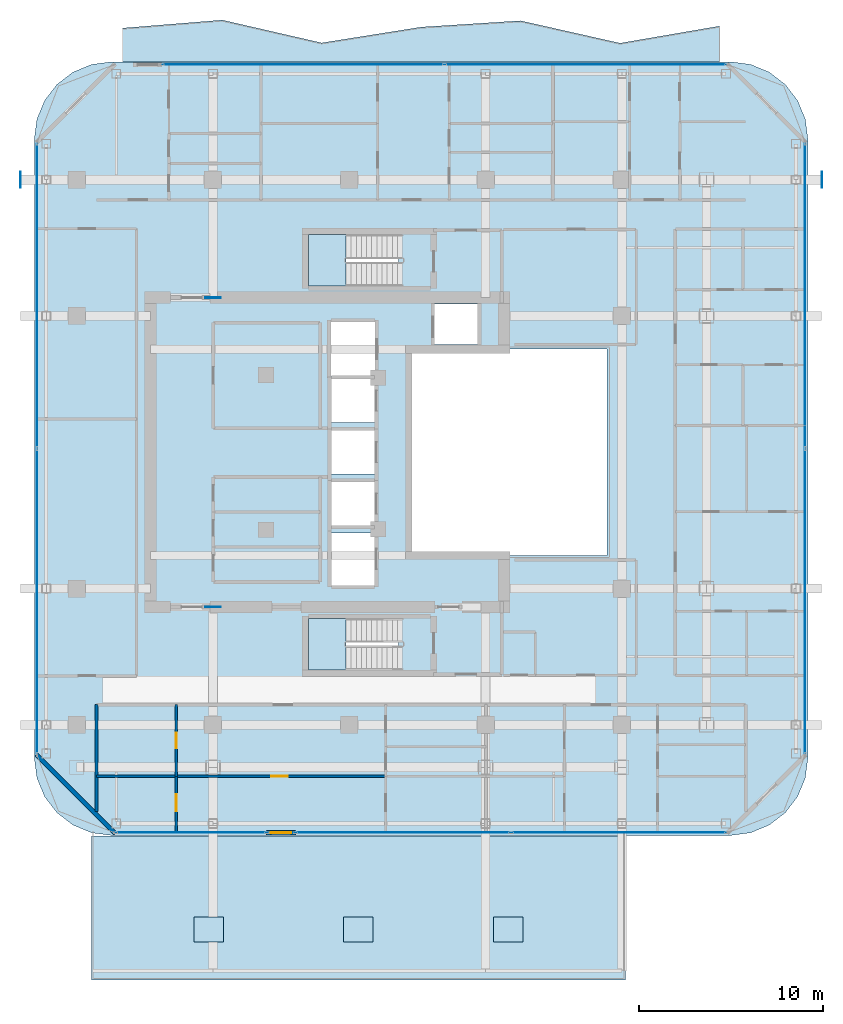
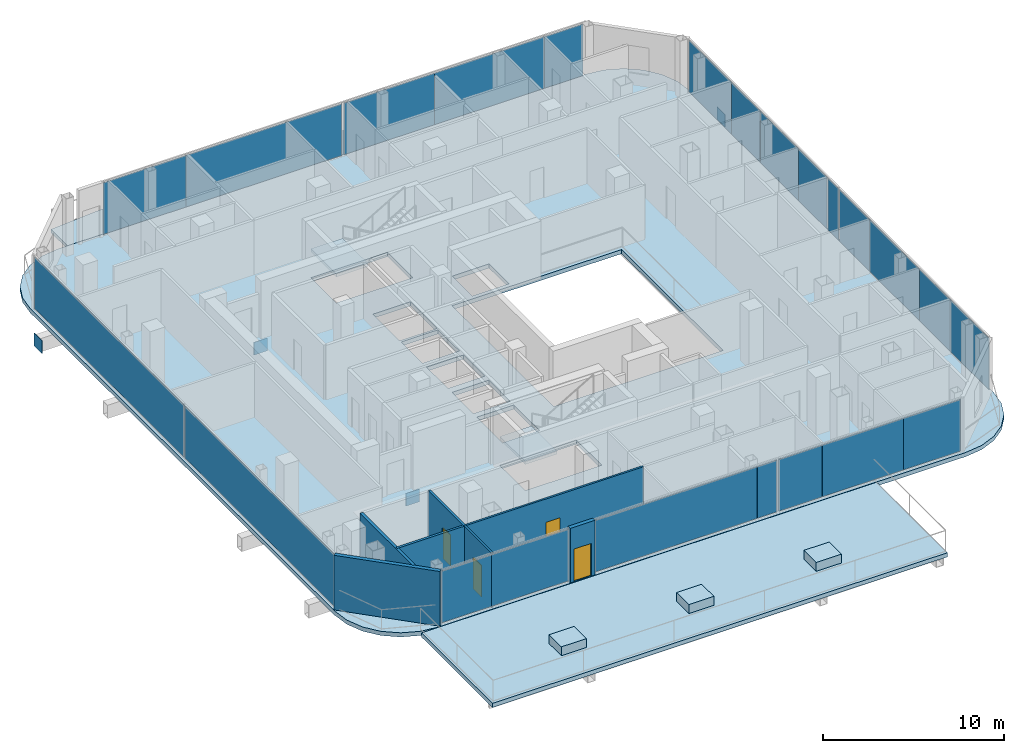
# One storey, part 17 of 25: 27 plates, 8 slabs, 7 walls, 4 doors, 4 openings, 7 elements without a shape of their own.
"""IFC4 building model written with IfcOpenShell, lengths in metres."""

from ifc_helpers import new_model, si_unit, direction, frame, frame_2d, origin, origin_2d, place, context, subcontext, project, spatial, polyline, rectangle, outline, extrude, material, layer, layer_set, type_object, element, fill, aggregate, save


model = new_model("IFC4")

# Units and contexts
model_context = context("Model", 3, precision=1e-05, world=origin(), true_north=direction((0.0, 1.0)))
body_context = subcontext(model_context, "Body", "Model", "MODEL_VIEW")
ifc_project = project(units=[si_unit("LENGTHUNIT", "METRE"), si_unit("AREAUNIT", "SQUARE_METRE"), si_unit("VOLUMEUNIT", "CUBIC_METRE"), si_unit("PLANEANGLEUNIT", "RADIAN"), si_unit("MASSUNIT", "GRAM", prefix="KILO")], contexts=[model_context])

# Site, building, storey
site_placement = place(None, origin())
site = spatial("IfcSite", under=ifc_project, at=site_placement, CompositionType="ELEMENT")
building_placement = place(site_placement, origin())
building = spatial("IfcBuilding", under=site, at=building_placement, Name="Khorvyn Point Tower", CompositionType="ELEMENT")
storey_placement = place(building_placement, frame((0.0, 0.0, 254.699951171875)))
storey = spatial("IfcBuildingStorey", under=building, at=storey_placement, Name="L62", CompositionType="ELEMENT", Elevation=254.699951171875)

# Slabs
ifc_material_1 = material(Name="Concrete C35/45", Category="concrete")
ifc_layer_1 = layer(ifc_material_1, 0.239990234375)
ifc_layer_set_1 = layer_set([ifc_layer_1], Name="Concrete C35/45 Setback Terrace Roof Slab 240")
slab_type_1 = type_object("IfcSlabType", Name="Concrete C35/45 Setback Terrace Roof Slab 240", PredefinedType="ROOF", material=ifc_layer_set_1)
slab_1_placement = place(storey_placement, frame((0.0, 0.0, -0.280029296875)))
element("IfcSlab", 1, at=slab_1_placement, inside=storey, type_object=slab_type_1, Name="L62 South Jenga Setback Sky-Garden Terrace", PredefinedType="ROOF", context=body_context, shape_type="SweptSolid", body=[
    extrude(outline(polyline([(-14.0, -28.64990234375), (15.0, -28.64990234375), (15.0, -20.820068359375), (-14.0, -20.820068359375), (-14.0, -28.64990234375)])), origin(), (0.0, 0.0, 1.0), 0.280029296875),
])
ifc_layer_2 = layer(ifc_material_1, 0.60009765625)
ifc_layer_set_2 = layer_set([ifc_layer_2], Name="Concrete C35/45 Terrace Tree Planter 600")
slab_type_2 = type_object("IfcSlabType", Name="Concrete C35/45 Terrace Tree Planter 600", PredefinedType="USERDEFINED", material=ifc_layer_set_2)
slab_2_placement = place(storey_placement, origin())
element("IfcSlab", 2, at=slab_2_placement, inside=storey, type_object=slab_type_2, Name="L62 Sky-Terrace Structural Tree Planter 1", ObjectType="PLANTER", PredefinedType="USERDEFINED", context=body_context, shape_type="SweptSolid", body=[
    extrude(outline(polyline([(-8.419921875, -26.58447265625), (-6.820068359375, -26.58447265625), (-6.820068359375, -25.234619140625), (-8.419921875, -25.234619140625), (-8.419921875, -26.58447265625)])), origin(), (0.0, 0.0, 1.0), 0.60009765625),
])
slab_3_placement = place(storey_placement, origin())
element("IfcSlab", 3, at=slab_3_placement, inside=storey, type_object=slab_type_2, Name="L62 Sky-Terrace Structural Tree Planter 2", ObjectType="PLANTER", PredefinedType="USERDEFINED", context=body_context, shape_type="SweptSolid", body=[
    extrude(outline(polyline([(-0.300048828125, -26.58447265625), (1.300048828125, -26.58447265625), (1.300048828125, -25.234619140625), (-0.300048828125, -25.234619140625), (-0.300048828125, -26.58447265625)])), origin(), (0.0, 0.0, 1.0), 0.60009765625),
])
slab_4_placement = place(storey_placement, origin())
element("IfcSlab", 4, at=slab_4_placement, inside=storey, type_object=slab_type_2, Name="L62 Sky-Terrace Structural Tree Planter 3", ObjectType="PLANTER", PredefinedType="USERDEFINED", context=body_context, shape_type="SweptSolid", body=[
    extrude(outline(polyline([(7.820068359375, -26.58447265625), (9.419921875, -26.58447265625), (9.419921875, -25.234619140625), (7.820068359375, -25.234619140625), (7.820068359375, -26.58447265625)])), origin(), (0.0, 0.0, 1.0), 0.60009765625),
])
ifc_material_2 = material(Name="Concrete C40/50", Category="concrete")
ifc_layer_3 = layer(ifc_material_2, 0.2099609375)
ifc_layer_set_3 = layer_set([ifc_layer_3], Name="Concrete C40/50 Rippling Balcony Slab 210")
slab_type_3 = type_object("IfcSlabType", Name="Concrete C40/50 Rippling Balcony Slab 210", PredefinedType="USERDEFINED", material=ifc_layer_set_3)
slab_5_placement = place(storey_placement, frame((0.0, 0.0, -0.2099609375)))
element("IfcSlab", 5, at=slab_5_placement, inside=storey, type_object=slab_type_3, Name="L62 North Sinusoidal Rippling Balcony", ObjectType="BALCONY", PredefinedType="USERDEFINED", context=body_context, shape_type="SweptSolid", body=[
    extrude(outline(polyline([(20.10009765625, 21.199951171875), (20.10009765625, 23.1416015625), (14.699951171875, 22.21240234375), (9.300048828125, 23.43017578125), (3.89990234375, 23.086669921875), (-1.5, 22.22802734375), (-6.89990234375, 23.46875), (-12.300048828125, 23.031005859375), (-12.300048828125, 21.199951171875), (20.10009765625, 21.199951171875)])), origin(), (0.0, 0.0, 1.0), 0.2099609375),
])

# Stair, slab
stair_type = type_object("IfcStairType", Name="Tower Concrete C40/50 Dogleg Exit Stair", PredefinedType="HALF_TURN_STAIR", material=ifc_material_2)
stair_1_placement = place(storey_placement, origin())
stair_1 = element("IfcStair", 6, at=stair_1_placement, inside=storey, type_object=stair_type, Name="L62 Tower Smokeproof Exit Stair South", PredefinedType="HALF_TURN_STAIR")
ifc_layer_4 = layer(ifc_material_2, 0.199951171875)
ifc_layer_set_4 = layer_set([ifc_layer_4], Name="Concrete C40/50 Stair Landing Slab 200")
slab_type_4 = type_object("IfcSlabType", Name="Concrete C40/50 Stair Landing Slab 200", PredefinedType="LANDING", material=ifc_layer_set_4)
slab_6_placement = place(storey_placement, frame((0.0, 0.0, 1.75)))
slab_6 = element("IfcSlab", 7, at=slab_6_placement, type_object=slab_type_4, Name="ST-01 landing 1", PredefinedType="LANDING", context=body_context, shape_type="SweptSolid", body=[
    extrude(outline(polyline([(-0.179931640625, -9.02001953125), (-2.199951171875, -9.02001953125), (-2.199951171875, -11.820068359375), (-0.179931640625, -11.820068359375), (-0.179931640625, -9.02001953125)])), origin(), (0.0, 0.0, 1.0), 0.199951171875),
])
aggregate(stair_1, [slab_6])

stair_2_placement = place(storey_placement, origin())
stair_2 = element("IfcStair", 8, at=stair_2_placement, inside=storey, type_object=stair_type, Name="L62 Tower Smokeproof Exit Stair North", PredefinedType="HALF_TURN_STAIR")
slab_7_placement = place(storey_placement, frame((0.0, 0.0, 1.75)))
slab_7 = element("IfcSlab", 9, at=slab_7_placement, type_object=slab_type_4, Name="ST-02 landing 1", PredefinedType="LANDING", context=body_context, shape_type="SweptSolid", body=[
    extrude(outline(polyline([(-0.179931640625, 11.820068359375), (-2.199951171875, 11.820068359375), (-2.199951171875, 9.02001953125), (-0.179931640625, 9.02001953125), (-0.179931640625, 11.820068359375)])), origin(), (0.0, 0.0, 1.0), 0.199951171875),
])
aggregate(stair_2, [slab_7])

# Slab
ifc_layer_5 = layer(ifc_material_2, 0.280029296875)
ifc_layer_set_5 = layer_set([ifc_layer_5], Name="Concrete C40/50 Structural Floor Slab 280")
slab_type_5 = type_object("IfcSlabType", Name="Concrete C40/50 Structural Floor Slab 280", PredefinedType="FLOOR", material=ifc_layer_set_5)
slab_8_placement = place(storey_placement, frame((0.0, 0.0, -0.280029296875)))
element("IfcSlab", 10, at=slab_8_placement, inside=storey, type_object=slab_type_5, Name="L62 Main Structural Floor Slab", PredefinedType="FLOOR", context=body_context, shape_type="SweptSolid", body=[
    extrude(outline(polyline([(-12.89990234375, -20.800048828125), (-13.987060546875, -20.656982421875), (-15.0, -20.2373046875), (-15.869873046875, -19.56982421875), (-16.537353515625, -18.699951171875), (-16.956787109375, -17.68701171875), (-17.10009765625, -16.60009765625), (-17.10009765625, 17.0), (-16.956787109375, 18.0869140625), (-16.537353515625, 19.10009765625), (-15.869873046875, 19.9697265625), (-15.0, 20.63720703125), (-13.987060546875, 21.056884765625), (-12.89990234375, 21.199951171875), (20.699951171875, 21.199951171875), (21.787109375, 21.056884765625), (22.800048828125, 20.63720703125), (23.669921875, 19.9697265625), (24.33740234375, 19.10009765625), (24.7568359375, 18.0869140625), (24.89990234375, 17.0), (24.89990234375, -16.60009765625), (24.7568359375, -17.68701171875), (24.33740234375, -18.699951171875), (23.669921875, -19.56982421875), (22.800048828125, -20.2373046875), (21.787109375, -20.656982421875), (20.699951171875, -20.800048828125), (-12.89990234375, -20.800048828125)]), holes=[polyline([(2.679931640625, -11.820068359375), (2.679931640625, -9.02001953125), (-2.199951171875, -9.02001953125), (-2.199951171875, -11.820068359375), (2.679931640625, -11.820068359375)]), polyline([(1.375, -7.22509765625), (1.375, -4.375), (-0.97509765625, -4.375), (-0.97509765625, -7.22509765625), (1.375, -7.22509765625)]), polyline([(1.375, -3.97509765625), (1.375, -1.625), (-0.97509765625, -1.625), (-0.97509765625, -3.97509765625), (1.375, -3.97509765625)]), polyline([(1.375, -1.175048828125), (1.375, 1.175048828125), (-0.97509765625, 1.175048828125), (-0.97509765625, -1.175048828125), (1.375, -1.175048828125)]), polyline([(14.0, -5.60009765625), (14.0, 5.60009765625), (3.199951171875, 5.60009765625), (3.199951171875, -5.60009765625), (14.0, -5.60009765625)]), polyline([(1.375, 1.625), (1.375, 3.97509765625), (-0.97509765625, 3.97509765625), (-0.97509765625, 1.625), (1.375, 1.625)]), polyline([(1.39990234375, 4.125), (1.39990234375, 7.074951171875), (-1.0, 7.074951171875), (-1.0, 4.125), (1.39990234375, 4.125)]), polyline([(4.625, 5.85009765625), (6.97509765625, 5.85009765625), (6.97509765625, 8.054931640625), (4.625, 8.054931640625), (4.625, 5.85009765625)]), polyline([(-2.199951171875, 9.02001953125), (2.679931640625, 9.02001953125), (2.679931640625, 11.820068359375), (-2.199951171875, 11.820068359375), (-2.199951171875, 9.02001953125)])]), origin(), (0.0, 0.0, 1.0), 0.280029296875),
])

# Plates
ifc_material_3 = material(Name="Steel S450", Category="steel")
ifc_layer_6 = layer(ifc_material_3, 0.031982421875)
ifc_layer_set_6 = layer_set([ifc_layer_6], Name="Steel S450 Exoskeleton End Cap Plate 32")
plate_type_1 = type_object("IfcPlateType", Name="Steel S450 Exoskeleton End Cap Plate 32", PredefinedType="USERDEFINED", material=ifc_layer_set_6)
for number, where, z_axis, x_axis, name in (
    (11, (-17.860107421875, 14.800048828125, -1.16015625), (0.0, 0.0, 1.0), (1.0, 0.0, 0.0), "Plate"),
    (12, (25.659912109375, 14.800048828125, -1.16015625), (0.0, 0.0, 1.0), (1.0, 0.0, 0.0), "Plate"),
):
    element("IfcPlate", number, at=place(storey_placement, frame(where, z_axis=z_axis, x_axis=x_axis)), inside=storey, type_object=plate_type_1, Name=name, ObjectType="GUSSET", PredefinedType="USERDEFINED", context=body_context, shape_type="SweptSolid", body=[
        extrude(rectangle(XDim=0.031982421875, YDim=0.860107421875, at=origin_2d()), origin(), (0.0, 0.0, 1.0), 0.860107421875),
    ])
for number, where, z_axis, x_axis, name in (
    (13, (-7.39990234375, -8.389892578125, -1.16015625), (0.0, 0.0, 1.0), (1.0, 0.0, 0.0), "Plate"),
    (14, (-7.39990234375, 8.389892578125, -1.16015625), (0.0, 0.0, 1.0), (1.0, 0.0, 0.0), "Plate"),
):
    element("IfcPlate", number, at=place(storey_placement, frame(where, z_axis=z_axis, x_axis=x_axis)), inside=storey, type_object=plate_type_1, Name=name, ObjectType="GUSSET", PredefinedType="USERDEFINED", context=body_context, shape_type="SweptSolid", body=[
        extrude(rectangle(XDim=0.860107421875, YDim=0.031982421875, at=origin_2d()), origin(), (0.0, 0.0, 1.0), 0.860107421875),
    ])

# Curtain wall, plates
ifc_material_4 = material(Name="Anodised aluminium 6063-T6 and laminated Low-E glass", Category="aluminium")
ifc_layer_7 = layer(ifc_material_4, 0.18994140625)
ifc_layer_set_7 = layer_set([ifc_layer_7], Name="Stick-Built High-Wind Curtain Wall CW-SYS-04")
curtain_wall_type = type_object("IfcCurtainWallType", Name="Stick-Built High-Wind Curtain Wall CW-SYS-04", PredefinedType="NOTDEFINED", material=ifc_layer_set_7)
curtain_wall_1_placement = place(storey_placement, origin())
curtain_wall_1 = element("IfcCurtainWall", 15, at=curtain_wall_1_placement, inside=storey, type_object=curtain_wall_type, Name="Curtain Wall", PredefinedType="NOTDEFINED")
ifc_material_5 = material(Name="Laminated Low-E insulated glass", Category="glass")
ifc_layer_8 = layer(ifc_material_5, 0.028076171875)
ifc_layer_set_8 = layer_set([ifc_layer_8], Name="Tempered Low-E Vision Glazing Panel CW-GL28")
plate_type_2 = type_object("IfcPlateType", Name="Tempered Low-E Vision Glazing Panel CW-GL28", PredefinedType="CURTAIN_PANEL", material=ifc_layer_set_8)
plate_1_placement = place(storey_placement, frame((10.228515625, -20.64990234375, 0.10009765625), z_axis=(0.0, 0.0, 1.0), x_axis=(-1.0, 0.0, 0.0)))
plate_1 = element("IfcPlate", 16, at=plate_1_placement, type_object=plate_type_2, Name="Panel", PredefinedType="CURTAIN_PANEL", context=body_context, shape_type="SweptSolid", body=[
    extrude(rectangle(XDim=2.782958984375, YDim=0.028076171875, at=origin_2d()), origin(), (0.0, 0.0, 1.0), 3.47998046875),
])
plate_2_placement = place(storey_placement, frame((14.2109375, -20.64990234375, 0.10009765625), z_axis=(0.0, 0.0, 1.0), x_axis=(-1.0, 0.0, 0.0)))
plate_2 = element("IfcPlate", 17, at=plate_2_placement, type_object=plate_type_2, Name="Panel", PredefinedType="CURTAIN_PANEL", context=body_context, shape_type="SweptSolid", body=[
    extrude(rectangle(XDim=5.166015625, YDim=0.028076171875, at=origin_2d()), origin(), (0.0, 0.0, 1.0), 3.47998046875),
])
plate_3_placement = place(storey_placement, frame((18.6240234375, -20.64990234375, 0.10009765625), z_axis=(0.0, 0.0, 1.0), x_axis=(-1.0, 0.0, 0.0)))
plate_3 = element("IfcPlate", 18, at=plate_3_placement, type_object=plate_type_2, Name="Panel", PredefinedType="CURTAIN_PANEL", context=body_context, shape_type="SweptSolid", body=[
    extrude(rectangle(XDim=3.64404296875, YDim=0.028076171875, at=origin_2d()), origin(), (0.0, 0.0, 1.0), 3.47998046875),
])
plate_4_placement = place(storey_placement, frame((2.300048828125, -20.64990234375, 0.10009765625), z_axis=(0.0, 0.0, 1.0), x_axis=(-1.0, 0.0, 0.0)))
plate_4 = element("IfcPlate", 19, at=plate_4_placement, type_object=plate_type_2, Name="Panel", PredefinedType="CURTAIN_PANEL", context=body_context, shape_type="SweptSolid", body=[
    extrude(rectangle(XDim=10.360107421875, YDim=0.028076171875, at=origin_2d()), origin(), (0.0, 0.0, 1.0), 3.47998046875),
])
plate_5_placement = place(storey_placement, frame((8.1083984375, -20.64990234375, 0.10009765625), z_axis=(0.0, 0.0, 1.0), x_axis=(-1.0, 0.0, 0.0)))
plate_5 = element("IfcPlate", 20, at=plate_5_placement, type_object=plate_type_2, Name="Panel", PredefinedType="CURTAIN_PANEL", context=body_context, shape_type="SweptSolid", body=[
    extrude(rectangle(XDim=1.240966796875, YDim=0.028076171875, at=origin_2d()), origin(), (0.0, 0.0, 1.0), 3.47998046875),
])
aggregate(curtain_wall_1, [plate_1, plate_2, plate_3, plate_4, plate_5])

curtain_wall_2_placement = place(storey_placement, origin())
curtain_wall_2 = element("IfcCurtainWall", 21, at=curtain_wall_2_placement, inside=storey, type_object=curtain_wall_type, Name="Curtain Wall", PredefinedType="NOTDEFINED")
plate_6_placement = place(storey_placement, frame((-11.050048828125, -20.64990234375, 0.10009765625), z_axis=(0.0, 0.0, 1.0), x_axis=(-1.0, 0.0, 0.0)))
plate_6 = element("IfcPlate", 22, at=plate_6_placement, type_object=plate_type_2, Name="Panel", PredefinedType="CURTAIN_PANEL", context=body_context, shape_type="SweptSolid", body=[
    extrude(rectangle(XDim=3.19189453125, YDim=0.028076171875, at=origin_2d()), origin(), (0.0, 0.0, 1.0), 3.47998046875),
])
plate_7_placement = place(storey_placement, frame((-6.987060546875, -20.64990234375, 0.10009765625), z_axis=(0.0, 0.0, 1.0), x_axis=(-1.0, 0.0, 0.0)))
plate_7 = element("IfcPlate", 23, at=plate_7_placement, type_object=plate_type_2, Name="Panel", PredefinedType="CURTAIN_PANEL", context=body_context, shape_type="SweptSolid", body=[
    extrude(rectangle(XDim=4.91796875, YDim=0.028076171875, at=origin_2d()), origin(), (0.0, 0.0, 1.0), 3.47998046875),
])
aggregate(curtain_wall_2, [plate_6, plate_7])

curtain_wall_3_placement = place(storey_placement, origin())
curtain_wall_3 = element("IfcCurtainWall", 24, at=curtain_wall_3_placement, inside=storey, type_object=curtain_wall_type, Name="Curtain Wall", PredefinedType="NOTDEFINED")
plate_8_placement = place(storey_placement, frame((-7.488525390625, 21.050048828125, 0.10009765625), z_axis=(0.0, 0.0, 1.0), x_axis=(1.0, 0.0, 0.0)))
plate_8 = element("IfcPlate", 25, at=plate_8_placement, type_object=plate_type_2, Name="Panel", PredefinedType="CURTAIN_PANEL", context=body_context, shape_type="SweptSolid", body=[
    extrude(rectangle(XDim=5.262939453125, YDim=0.028076171875, at=origin_2d()), origin(), (0.0, 0.0, 1.0), 3.47998046875),
])
plate_9_placement = place(storey_placement, frame((0.1298828125, 21.050048828125, 0.10009765625), z_axis=(0.0, 0.0, 1.0), x_axis=(1.0, 0.0, 0.0)))
plate_9 = element("IfcPlate", 26, at=plate_9_placement, type_object=plate_type_2, Name="Panel", PredefinedType="CURTAIN_PANEL", context=body_context, shape_type="SweptSolid", body=[
    extrude(rectangle(XDim=9.9580078125, YDim=0.028076171875, at=origin_2d()), origin(), (0.0, 0.0, 1.0), 3.47998046875),
])
plate_10_placement = place(storey_placement, frame((8.097412109375, 21.050048828125, 0.10009765625), z_axis=(0.0, 0.0, 1.0), x_axis=(1.0, 0.0, 0.0)))
plate_10 = element("IfcPlate", 27, at=plate_10_placement, type_object=plate_type_2, Name="Panel", PredefinedType="CURTAIN_PANEL", context=body_context, shape_type="SweptSolid", body=[
    extrude(rectangle(XDim=5.760986328125, YDim=0.028076171875, at=origin_2d()), origin(), (0.0, 0.0, 1.0), 3.47998046875),
])
plate_11_placement = place(storey_placement, frame((14.49609375, 21.050048828125, 0.10009765625), z_axis=(0.0, 0.0, 1.0), x_axis=(1.0, 0.0, 0.0)))
plate_11 = element("IfcPlate", 28, at=plate_11_placement, type_object=plate_type_2, Name="Panel", PredefinedType="CURTAIN_PANEL", context=body_context, shape_type="SweptSolid", body=[
    extrude(rectangle(XDim=7.02001953125, YDim=0.028076171875, at=origin_2d()), origin(), (0.0, 0.0, 1.0), 3.47998046875),
])
plate_12_placement = place(storey_placement, frame((19.22998046875, 21.050048828125, 0.10009765625), z_axis=(0.0, 0.0, 1.0), x_axis=(1.0, 0.0, 0.0)))
plate_12 = element("IfcPlate", 29, at=plate_12_placement, type_object=plate_type_2, Name="Panel", PredefinedType="CURTAIN_PANEL", context=body_context, shape_type="SweptSolid", body=[
    extrude(rectangle(XDim=2.431884765625, YDim=0.028076171875, at=origin_2d()), origin(), (0.0, 0.0, 1.0), 3.47998046875),
])
aggregate(curtain_wall_3, [plate_8, plate_9, plate_10, plate_11, plate_12])

curtain_wall_4_placement = place(storey_placement, origin())
curtain_wall_4 = element("IfcCurtainWall", 30, at=curtain_wall_4_placement, inside=storey, type_object=curtain_wall_type, Name="Curtain Wall", PredefinedType="NOTDEFINED")
plate_13_placement = place(storey_placement, frame((-16.949951171875, -8.10009765625, 0.10009765625), z_axis=(0.0, 0.0, 1.0), x_axis=(0.0, 1.0, 0.0)))
plate_13 = element("IfcPlate", 31, at=plate_13_placement, type_object=plate_type_2, Name="Panel", PredefinedType="CURTAIN_PANEL", context=body_context, shape_type="SweptSolid", body=[
    extrude(rectangle(XDim=16.5, YDim=0.028076171875, at=origin_2d()), origin(), (0.0, 0.0, 1.0), 3.47998046875),
])
plate_14_placement = place(storey_placement, frame((-16.949951171875, 8.5, 0.10009765625), z_axis=(0.0, 0.0, 1.0), x_axis=(0.0, 1.0, 0.0)))
plate_14 = element("IfcPlate", 32, at=plate_14_placement, type_object=plate_type_2, Name="Panel", PredefinedType="CURTAIN_PANEL", context=body_context, shape_type="SweptSolid", body=[
    extrude(rectangle(XDim=16.5, YDim=0.028076171875, at=origin_2d()), origin(), (0.0, 0.0, 1.0), 3.47998046875),
])
aggregate(curtain_wall_4, [plate_13, plate_14])

curtain_wall_5_placement = place(storey_placement, origin())
curtain_wall_5 = element("IfcCurtainWall", 33, at=curtain_wall_5_placement, inside=storey, type_object=curtain_wall_type, Name="Curtain Wall", PredefinedType="NOTDEFINED")
plate_15_placement = place(storey_placement, frame((24.75, 0.822021484375, 0.10009765625), z_axis=(0.0, 0.0, 1.0), x_axis=(0.0, -1.0, 0.0)))
plate_15 = element("IfcPlate", 34, at=plate_15_placement, type_object=plate_type_2, Name="Panel", PredefinedType="CURTAIN_PANEL", context=body_context, shape_type="SweptSolid", body=[
    extrude(rectangle(XDim=1.135986328125, YDim=0.028076171875, at=origin_2d()), origin(), (0.0, 0.0, 1.0), 3.47998046875),
])
plate_16_placement = place(storey_placement, frame((24.75, 3.10009765625, 0.10009765625), z_axis=(0.0, 0.0, 1.0), x_axis=(0.0, -1.0, 0.0)))
plate_16 = element("IfcPlate", 35, at=plate_16_placement, type_object=plate_type_2, Name="Panel", PredefinedType="CURTAIN_PANEL", context=body_context, shape_type="SweptSolid", body=[
    extrude(rectangle(XDim=3.1640625, YDim=0.028076171875, at=origin_2d()), origin(), (0.0, 0.0, 1.0), 3.47998046875),
])
plate_17_placement = place(storey_placement, frame((24.75, 6.787109375, 0.10009765625), z_axis=(0.0, 0.0, 1.0), x_axis=(0.0, -1.0, 0.0)))
plate_17 = element("IfcPlate", 36, at=plate_17_placement, type_object=plate_type_2, Name="Panel", PredefinedType="CURTAIN_PANEL", context=body_context, shape_type="SweptSolid", body=[
    extrude(rectangle(XDim=4.194091796875, YDim=0.028076171875, at=origin_2d()), origin(), (0.0, 0.0, 1.0), 3.47998046875),
])
plate_18_placement = place(storey_placement, frame((24.75, 10.47412109375, 0.10009765625), z_axis=(0.0, 0.0, 1.0), x_axis=(0.0, -1.0, 0.0)))
plate_18 = element("IfcPlate", 37, at=plate_18_placement, type_object=plate_type_2, Name="Panel", PredefinedType="CURTAIN_PANEL", context=body_context, shape_type="SweptSolid", body=[
    extrude(rectangle(XDim=3.1640625, YDim=0.028076171875, at=origin_2d()), origin(), (0.0, 0.0, 1.0), 3.47998046875),
])
plate_19_placement = place(storey_placement, frame((24.75, 14.405029296875, 0.10009765625), z_axis=(0.0, 0.0, 1.0), x_axis=(0.0, -1.0, 0.0)))
plate_19 = element("IfcPlate", 38, at=plate_19_placement, type_object=plate_type_2, Name="Panel", PredefinedType="CURTAIN_PANEL", context=body_context, shape_type="SweptSolid", body=[
    extrude(rectangle(XDim=4.681884765625, YDim=0.028076171875, at=origin_2d()), origin(), (0.0, 0.0, 1.0), 3.47998046875),
])
plate_20_placement = place(storey_placement, frame((24.75, -14.205078125, 0.10009765625), z_axis=(0.0, 0.0, 1.0), x_axis=(0.0, -1.0, 0.0)))
plate_20 = element("IfcPlate", 39, at=plate_20_placement, type_object=plate_type_2, Name="Panel", PredefinedType="CURTAIN_PANEL", context=body_context, shape_type="SweptSolid", body=[
    extrude(rectangle(XDim=4.281982421875, YDim=0.028076171875, at=origin_2d()), origin(), (0.0, 0.0, 1.0), 3.47998046875),
])
plate_21_placement = place(storey_placement, frame((24.75, -10.37353515625, 0.10009765625), z_axis=(0.0, 0.0, 1.0), x_axis=(0.0, -1.0, 0.0)))
plate_21 = element("IfcPlate", 40, at=plate_21_placement, type_object=plate_type_2, Name="Panel", PredefinedType="CURTAIN_PANEL", context=body_context, shape_type="SweptSolid", body=[
    extrude(rectangle(XDim=3.364990234375, YDim=0.028076171875, at=origin_2d()), origin(), (0.0, 0.0, 1.0), 3.47998046875),
])
plate_22_placement = place(storey_placement, frame((24.75, -5.925048828125, 0.10009765625), z_axis=(0.0, 0.0, 1.0), x_axis=(0.0, -1.0, 0.0)))
plate_22 = element("IfcPlate", 41, at=plate_22_placement, type_object=plate_type_2, Name="Panel", PredefinedType="CURTAIN_PANEL", context=body_context, shape_type="SweptSolid", body=[
    extrude(rectangle(XDim=5.51611328125, YDim=0.028076171875, at=origin_2d()), origin(), (0.0, 0.0, 1.0), 3.47998046875),
])
plate_23_placement = place(storey_placement, frame((24.75, -1.506591796875, 0.10009765625), z_axis=(0.0, 0.0, 1.0), x_axis=(0.0, -1.0, 0.0)))
plate_23 = element("IfcPlate", 42, at=plate_23_placement, type_object=plate_type_2, Name="Panel", PredefinedType="CURTAIN_PANEL", context=body_context, shape_type="SweptSolid", body=[
    extrude(rectangle(XDim=3.304931640625, YDim=0.028076171875, at=origin_2d()), origin(), (0.0, 0.0, 1.0), 3.47998046875),
])
aggregate(curtain_wall_5, [plate_15, plate_16, plate_17, plate_18, plate_19, plate_20, plate_21, plate_22, plate_23])

# Wall
ifc_material_6 = material(Name="Double acoustic gypsum on twin steel stud", Category="steel")
ifc_layer_9 = layer(ifc_material_6, 0.179931640625)
ifc_layer_set_9 = layer_set([ifc_layer_9], Name="Acoustic Double-Stud Apartment Demising Wall 180")
wall_type_1 = type_object("IfcWallType", Name="Acoustic Double-Stud Apartment Demising Wall 180", PredefinedType="PARTITIONING", material=ifc_layer_set_9)
wall_1_placement = place(storey_placement, frame((-13.719970703125, -19.510009765625, 0.0), z_axis=(0.0, 0.0, 1.0), x_axis=(0.0, 1.0, 0.0)))
element("IfcWall", 43, at=wall_1_placement, inside=storey, type_object=wall_type_1, Name="Wall", PredefinedType="PARTITIONING", context=body_context, shape_type="SweptSolid", body=[
    extrude(rectangle(XDim=5.81005859375, YDim=0.179931640625, at=frame_2d((2.905029296875, 0.0))), origin(), (0.0, 0.0, 1.0), 3.679931640625),
])

# Wall, opening, door
ifc_material_7 = material(Name="Pale anodised aluminium rainscreen on steel stud", Category="steel")
ifc_layer_10 = layer(ifc_material_7, 0.239990234375)
ifc_layer_set_10 = layer_set([ifc_layer_10], Name="Anodised Aluminium Insulated Corner Spandrel Wall 240")
wall_type_2 = type_object("IfcWallType", Name="Anodised Aluminium Insulated Corner Spandrel Wall 240", PredefinedType="SOLIDWALL", material=ifc_layer_set_10)
wall_2_placement = place(storey_placement, frame((-2.9140625, -20.64990234375, 0.0), z_axis=(0.0, 0.0, 1.0), x_axis=(-1.0, 0.0, 0.0)))
wall_2 = element("IfcWall", 44, at=wall_2_placement, inside=storey, type_object=wall_type_2, Name="L62 South Outdoor Threshold Wall", PredefinedType="SOLIDWALL", context=body_context, shape_type="SweptSolid", body=[
    extrude(rectangle(XDim=1.579833984375, YDim=0.239990234375, at=frame_2d((0.7900390625, 0.0))), origin(), (0.0, 0.0, 1.0), 3.679931640625),
])
opening_1_placement = place(wall_2_placement, frame((0.239990234375, 0.0, 0.0)))
opening_1 = element("IfcOpeningElement", 45, at=opening_1_placement, cuts=wall_2, Name="Opening BD-1122", PredefinedType="OPENING", context=body_context, shape_type="SweptSolid", body=[
    extrude(rectangle(XDim=1.10009765625, YDim=2.199951171875, at=frame_2d((0.550048828125, 1.10009765625))), frame((0.0, 0.1298828125, 0.0), z_axis=(0.0, -1.0, 0.0), x_axis=(1.0, 0.0, 0.0)), (0.0, 0.0, 1.0), 0.260009765625),
])
door_type_1 = type_object("IfcDoorType", Name="Glazed Balcony and Terrace Threshold Door 1100x2200", OperationType="NOTDEFINED", PredefinedType="DOOR", material=ifc_material_4)
door_1_placement = place(opening_1_placement, origin())
door_1 = element("IfcDoor", 46, at=door_1_placement, inside=storey, type_object=door_type_1, Name="L62 South Terrace Outdoor Door", OperationType="SINGLE_SWING_RIGHT", OverallHeight=2.199951171875, OverallWidth=1.10009765625, PredefinedType="DOOR", context=body_context, shape_type="SweptSolid", body=[
    extrude(rectangle(XDim=1.10009765625, YDim=2.199951171875, at=frame_2d((0.550048828125, 1.10009765625))), frame((0.0, 0.02490234375, 0.0), z_axis=(0.0, -1.0, 0.0), x_axis=(1.0, 0.0, 0.0)), (0.0, 0.0, 1.0), 0.050048828125),
])
fill(opening_1, door_1)

# Wall
wall_3_placement = place(storey_placement, frame((-12.70751953125, -20.6923828125, 0.0), z_axis=(0.0, 0.0, 1.0), x_axis=(-0.707126925818, 0.707086635981, 0.0)))
element("IfcWall", 47, at=wall_3_placement, inside=storey, type_object=wall_type_2, Name="L62 Rounded Corner Wall SW", PredefinedType="SOLIDWALL", context=body_context, shape_type="SweptSolid", body=[
    extrude(rectangle(XDim=6.0595703125, YDim=0.239990234375, at=frame_2d((3.02978515625, 0.0))), origin(), (0.0, 0.0, 1.0), 3.679931640625),
])

# Wall, opening, door
ifc_material_8 = material(Name="Gypsum plasterboard on steel stud", Category="steel")
ifc_layer_11 = layer(ifc_material_8, 0.1201171875)
ifc_layer_set_11 = layer_set([ifc_layer_11], Name="Gypsum Acoustic Stud Room Partition Wall 120")
wall_type_3 = type_object("IfcWallType", Name="Gypsum Acoustic Stud Room Partition Wall 120", PredefinedType="PARTITIONING", material=ifc_layer_set_11)
wall_4_placement = place(storey_placement, frame((-9.389892578125, -17.590087890625, 0.0), z_axis=(0.0, 0.0, 1.0), x_axis=(1.0, 0.0, 0.0)))
wall_4 = element("IfcWall", 48, at=wall_4_placement, inside=storey, type_object=wall_type_3, Name="Wall", PredefinedType="PARTITIONING", context=body_context, shape_type="SweptSolid", body=[
    extrude(rectangle(XDim=11.372802734375, YDim=0.1201171875, at=frame_2d((5.6865234375, 0.0))), origin(), (0.0, 0.0, 1.0), 3.679931640625),
])
opening_2_placement = place(wall_4_placement, frame((5.1474609375, 0.0, 0.0)))
opening_2 = element("IfcOpeningElement", 49, at=opening_2_placement, cuts=wall_4, Name="Opening ID-RM90", PredefinedType="OPENING", context=body_context, shape_type="SweptSolid", body=[
    extrude(rectangle(XDim=0.89990234375, YDim=2.10009765625, at=frame_2d((0.449951171875, 1.050048828125))), frame((0.0, 0.070068359375, 0.0), z_axis=(0.0, -1.0, 0.0), x_axis=(1.0, 0.0, 0.0)), (0.0, 0.0, 1.0), 0.14013671875),
])
ifc_material_9 = material(Name="Engineered oak veneer timber", Category="wood")
door_type_2 = type_object("IfcDoorType", Name="Flush Engineered Timber Room Door 900x2100", OperationType="NOTDEFINED", PredefinedType="DOOR", material=ifc_material_9)
door_2_placement = place(opening_2_placement, origin())
door_2 = element("IfcDoor", 50, at=door_2_placement, inside=storey, type_object=door_type_2, Name="Door", OperationType="SINGLE_SWING_LEFT", OverallHeight=2.10009765625, OverallWidth=0.89990234375, PredefinedType="DOOR", context=body_context, shape_type="SweptSolid", body=[
    extrude(rectangle(XDim=0.89990234375, YDim=2.10009765625, at=frame_2d((0.449951171875, 1.050048828125))), frame((0.0, 0.02490234375, 0.0), z_axis=(0.0, -1.0, 0.0), x_axis=(1.0, 0.0, 0.0)), (0.0, 0.0, 1.0), 0.050048828125),
])
fill(opening_2, door_2)

wall_5_placement = place(storey_placement, frame((-9.389892578125, -20.6298828125, 0.0), z_axis=(0.0, 0.0, 1.0), x_axis=(0.0, 1.0, 0.0)))
wall_5 = element("IfcWall", 51, at=wall_5_placement, inside=storey, type_object=wall_type_3, Name="Wall", PredefinedType="PARTITIONING", context=body_context, shape_type="SweptSolid", body=[
    extrude(rectangle(XDim=3.039794921875, YDim=0.1201171875, at=frame_2d((1.52001953125, 0.0))), origin(), (0.0, 0.0, 1.0), 3.679931640625),
])
opening_3_placement = place(wall_5_placement, frame((1.152587890625, 0.0, 0.0)))
opening_3 = element("IfcOpeningElement", 52, at=opening_3_placement, cuts=wall_5, Name="Opening ID-RM90", PredefinedType="OPENING", context=body_context, shape_type="SweptSolid", body=[
    extrude(rectangle(XDim=0.89990234375, YDim=2.10009765625, at=frame_2d((0.449951171875, 1.050048828125))), frame((0.0, 0.070068359375, 0.0), z_axis=(0.0, -1.0, 0.0), x_axis=(1.0, 0.0, 0.0)), (0.0, 0.0, 1.0), 0.14013671875),
])
door_3_placement = place(opening_3_placement, origin())
door_3 = element("IfcDoor", 53, at=door_3_placement, inside=storey, type_object=door_type_2, Name="Door", OperationType="SINGLE_SWING_LEFT", OverallHeight=2.10009765625, OverallWidth=0.89990234375, PredefinedType="DOOR", context=body_context, shape_type="SweptSolid", body=[
    extrude(rectangle(XDim=0.89990234375, YDim=2.10009765625, at=frame_2d((0.449951171875, 1.050048828125))), frame((0.0, 0.02490234375, 0.0), z_axis=(0.0, -1.0, 0.0), x_axis=(1.0, 0.0, 0.0)), (0.0, 0.0, 1.0), 0.050048828125),
])
fill(opening_3, door_3)

ifc_material_10 = material(Name="Moisture-resistant gypsum and cement board", Category="gypsum")
ifc_layer_12 = layer(ifc_material_10, 0.14990234375)
ifc_layer_set_12 = layer_set([ifc_layer_12], Name="Moisture-Resistant Wet-Room Partition Wall 150")
wall_type_4 = type_object("IfcWallType", Name="Moisture-Resistant Wet-Room Partition Wall 150", PredefinedType="PARTITIONING", material=ifc_layer_set_12)
wall_6_placement = place(storey_placement, frame((-9.389892578125, -17.590087890625, 0.0), z_axis=(0.0, 0.0, 1.0), x_axis=(0.0, 1.0, 0.0)))
wall_6 = element("IfcWall", 54, at=wall_6_placement, inside=storey, type_object=wall_type_4, Name="Wall", PredefinedType="PARTITIONING", context=body_context, shape_type="SweptSolid", body=[
    extrude(rectangle(XDim=3.89013671875, YDim=0.14990234375, at=frame_2d((1.945068359375, 0.0))), origin(), (0.0, 0.0, 1.0), 3.679931640625),
])
opening_4_placement = place(wall_6_placement, frame((1.52001953125, 0.0, 0.0)))
opening_4 = element("IfcOpeningElement", 55, at=opening_4_placement, cuts=wall_6, Name="Opening ID-WC85", PredefinedType="OPENING", context=body_context, shape_type="SweptSolid", body=[
    extrude(rectangle(XDim=0.85009765625, YDim=2.10009765625, at=frame_2d((0.425048828125, 1.050048828125))), frame((0.0, 0.0849609375, 0.0), z_axis=(0.0, -1.0, 0.0), x_axis=(1.0, 0.0, 0.0)), (0.0, 0.0, 1.0), 0.169921875),
])
ifc_material_11 = material(Name="High-pressure laminate on moisture-resistant core", Category="wood")
door_type_3 = type_object("IfcDoorType", Name="Moisture-Resistant Accessible Washroom Door 850x2100", OperationType="NOTDEFINED", PredefinedType="DOOR", material=ifc_material_11)
door_4_placement = place(opening_4_placement, origin())
door_4 = element("IfcDoor", 56, at=door_4_placement, inside=storey, type_object=door_type_3, Name="Door", OperationType="SINGLE_SWING_RIGHT", OverallHeight=2.10009765625, OverallWidth=0.85009765625, PredefinedType="DOOR", context=body_context, shape_type="SweptSolid", body=[
    extrude(rectangle(XDim=0.85009765625, YDim=2.10009765625, at=frame_2d((0.425048828125, 1.050048828125))), frame((0.0, 0.02490234375, 0.0), z_axis=(0.0, -1.0, 0.0), x_axis=(1.0, 0.0, 0.0)), (0.0, 0.0, 1.0), 0.050048828125),
])
fill(opening_4, door_4)

# Wall
wall_7_placement = place(storey_placement, frame((-13.719970703125, -17.590087890625, 0.0), z_axis=(0.0, 0.0, 1.0), x_axis=(1.0, 0.0, 0.0)))
element("IfcWall", 57, at=wall_7_placement, inside=storey, type_object=wall_type_4, Name="Wall", PredefinedType="PARTITIONING", context=body_context, shape_type="SweptSolid", body=[
    extrude(rectangle(XDim=4.330078125, YDim=0.14990234375, at=frame_2d((2.1650390625, 0.0))), origin(), (0.0, 0.0, 1.0), 3.679931640625),
])

save(model, "model.ifc")
